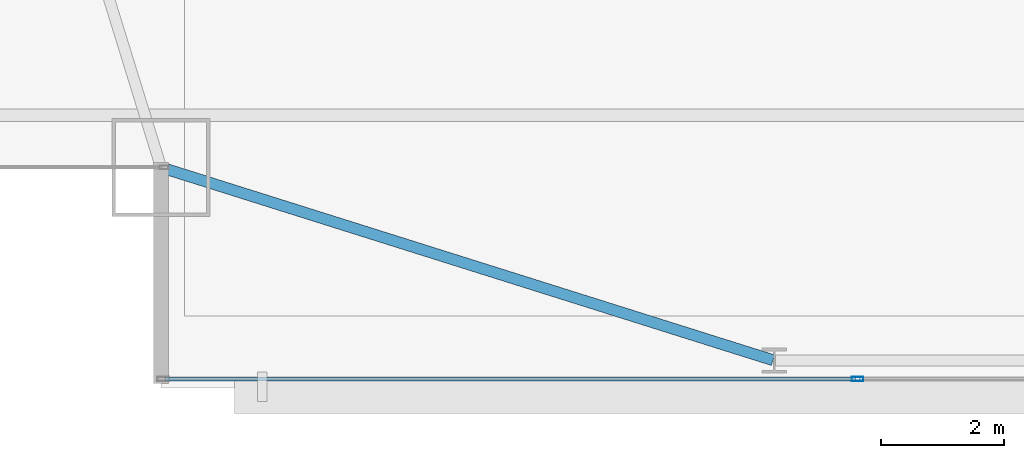
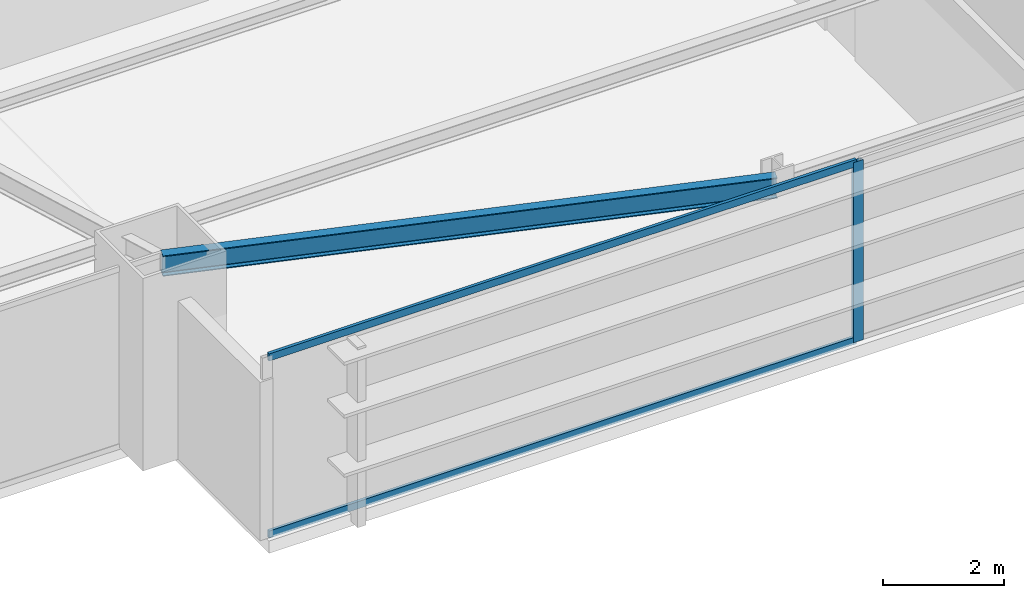
# One storey, part 4 of 32: 3 members, 1 beam, 1 element without a shape of its own.
"""IFC4 building model written with IfcOpenShell, lengths in metres."""

from ifc_helpers import new_model, si_unit, direction, frame, origin, origin_2d, place, context, subcontext, project, spatial, hollow_rectangle, i_section, extrude, source, transform, mapped, material, layer, layer_set, material_profile, profile_set, type_object, type_shapes, element, aggregate, save


model = new_model("IFC4")

# Units and contexts
model_context = context("Model", 3, precision=1e-05, world=origin(), true_north=direction((0.0, 1.0)))
body_context = subcontext(model_context, "Body", "Model", "MODEL_VIEW")
ifc_project = project(units=[si_unit("LENGTHUNIT", "METRE"), si_unit("AREAUNIT", "SQUARE_METRE"), si_unit("VOLUMEUNIT", "CUBIC_METRE"), si_unit("PLANEANGLEUNIT", "RADIAN"), si_unit("MASSUNIT", "GRAM", prefix="KILO")], contexts=[model_context])

# Site, building, storey
site_placement = place(None, origin())
site = spatial("IfcSite", under=ifc_project, at=site_placement, CompositionType="ELEMENT")
building_placement = place(site_placement, origin())
building = spatial("IfcBuilding", under=site, at=building_placement, Name="Varnel Quay Broadcast Tower", CompositionType="ELEMENT")
storey_placement = place(building_placement, frame((0.0, 0.0, 54.89990234375)))
storey = spatial("IfcBuildingStorey", under=building, at=storey_placement, Name="L12", CompositionType="ELEMENT", Elevation=54.89990234375)

# Beam
ifc_material_1 = material(Name="Structural Steel CSA G40.21 350W", Category="steel")
ifc_material_profile_1 = material_profile(ifc_material_1, i_section(OverallWidth=0.180908203125, OverallDepth=0.4169921875, WebThickness=0.010986328125, FlangeThickness=0.018310546875, FilletRadius=0.011962890625, at=origin_2d()), Name="W410X85")
ifc_profile_set_1 = profile_set([ifc_material_profile_1], Name="Structural Steel CSA G40.21 350W")
beam_type = type_object("IfcBeamType", Name="Beam_W410X85", PredefinedType="SPANDREL", material=ifc_profile_set_1)
shared_shape_1 = source(origin(), body_context, "Body", "SweptSolid", [
    extrude(i_section(OverallWidth=0.180908203125, OverallDepth=0.4169921875, WebThickness=0.010986328125, FlangeThickness=0.018310546875, FilletRadius=0.011962890625, at=origin_2d()), origin(), (0.0, 0.0, 1.0), 10.444091796875),
])
type_shapes(beam_type, [shared_shape_1])
beam_placement = place(storey_placement, frame((5.619140625, 4.7939453125, 3.441650390625), z_axis=(0.953798277271, -0.300447743003, 0.0), x_axis=(0.300447743003, 0.953798277271, 0.0)))
element("IfcBeam", 1, at=beam_placement, inside=storey, type_object=beam_type, Name="L12 South Spandrel MC-SW-TC-S1", PredefinedType="SPANDREL", context=body_context, shape_type="MappedRepresentation", body=[
    mapped(shared_shape_1, transform((0.0, 0.0, 0.0), x_axis=(1.0, 0.0, 0.0), y_axis=(0.0, 1.0, 0.0), z_axis=(0.0, 0.0, 1.0), scale=1.0)),
])

# Curtain wall, members
ifc_material_2 = material(Name="Anodised Bronze Aluminium 6063-T6", Category="aluminium")
ifc_layer = layer(ifc_material_2, 0.18994140625, Name="Anodised Bronze Aluminium 6063-T6")
ifc_layer_set = layer_set([ifc_layer], Name="Anodised Bronze Aluminium 6063-T6")
curtain_wall_type = type_object("IfcCurtainWallType", Name="CW_LowerTower", PredefinedType="NOTDEFINED", material=ifc_layer_set)
curtain_wall_placement = place(storey_placement, origin())
curtain_wall = element("IfcCurtainWall", 2, at=curtain_wall_placement, inside=storey, type_object=curtain_wall_type, Name="L12 South Unitised Curtain Wall 1", PredefinedType="NOTDEFINED")
ifc_material_profile_2 = material_profile(ifc_material_2, hollow_rectangle(XDim=0.06005859375, YDim=0.14501953125, WallThickness=0.00341796875, at=origin_2d()), Name="ALU60X145X3.5")
ifc_profile_set_2 = profile_set([ifc_material_profile_2], Name="Anodised Bronze Aluminium 6063-T6")
member_type_1 = type_object("IfcMemberType", Name="Tran_CWS-02", PredefinedType="USERDEFINED", material=ifc_profile_set_2)
shared_shape_2 = source(origin(), body_context, "Body", "SweptSolid", [
    extrude(hollow_rectangle(XDim=0.06005859375, YDim=0.14501953125, WallThickness=0.00341796875, at=origin_2d()), origin(), (0.0, 0.0, 1.0), 11.255126953125),
])
type_shapes(member_type_1, [shared_shape_2])
member_1_placement = place(storey_placement, frame((5.669921875, 1.35009765625, 0.030029296875), z_axis=(1.0, 0.0, 0.0), x_axis=(0.0, 1.0, 0.0)))
member_1 = element("IfcMember", 3, at=member_1_placement, type_object=member_type_1, Name="CWS-02 transom 1.1", ObjectType="TRANSOM", PredefinedType="USERDEFINED", context=body_context, shape_type="MappedRepresentation", body=[
    mapped(shared_shape_2, transform((0.0, 0.0, 0.0), x_axis=(1.0, 0.0, 0.0), y_axis=(0.0, 1.0, 0.0), z_axis=(0.0, 0.0, 1.0), scale=1.0)),
])
member_2_placement = place(storey_placement, frame((5.669921875, 1.35009765625, 3.6201171875), z_axis=(1.0, 0.0, 0.0), x_axis=(0.0, 1.0, 0.0)))
member_2 = element("IfcMember", 4, at=member_2_placement, type_object=member_type_1, Name="CWS-02 transom 1.2", ObjectType="TRANSOM", PredefinedType="USERDEFINED", context=body_context, shape_type="MappedRepresentation", body=[
    mapped(shared_shape_2, transform((0.0, 0.0, 0.0), x_axis=(1.0, 0.0, 0.0), y_axis=(0.0, 1.0, 0.0), z_axis=(0.0, 0.0, 1.0), scale=1.0)),
])
ifc_material_profile_3 = material_profile(ifc_material_2, hollow_rectangle(XDim=0.070068359375, YDim=0.18994140625, WallThickness=0.00390625, at=origin_2d()), Name="ALU70X190X4")
ifc_profile_set_3 = profile_set([ifc_material_profile_3], Name="Anodised Bronze Aluminium 6063-T6")
member_type_2 = type_object("IfcMemberType", Name="Mull_CWS-02", PredefinedType="MULLION", material=ifc_profile_set_3)
shared_shape_3 = source(origin(), body_context, "Body", "SweptSolid", [
    extrude(hollow_rectangle(XDim=0.070068359375, YDim=0.18994140625, WallThickness=0.00390625, at=origin_2d()), origin(), (0.0, 0.0, 1.0), 3.650146484375),
])
type_shapes(member_type_2, [shared_shape_3])
member_3_placement = place(storey_placement, frame((16.9599609375, 1.35009765625, 0.0), z_axis=(0.0, 0.0, 1.0), x_axis=(0.0, 1.0, 0.0)))
member_3 = element("IfcMember", 5, at=member_3_placement, type_object=member_type_2, Name="CWS-02 mullion 2", PredefinedType="MULLION", context=body_context, shape_type="MappedRepresentation", body=[
    mapped(shared_shape_3, transform((0.0, 0.0, 0.0), x_axis=(1.0, 0.0, 0.0), y_axis=(0.0, 1.0, 0.0), z_axis=(0.0, 0.0, 1.0), scale=1.0)),
])
aggregate(curtain_wall, [member_3, member_1, member_2])

save(model, "model.ifc")
